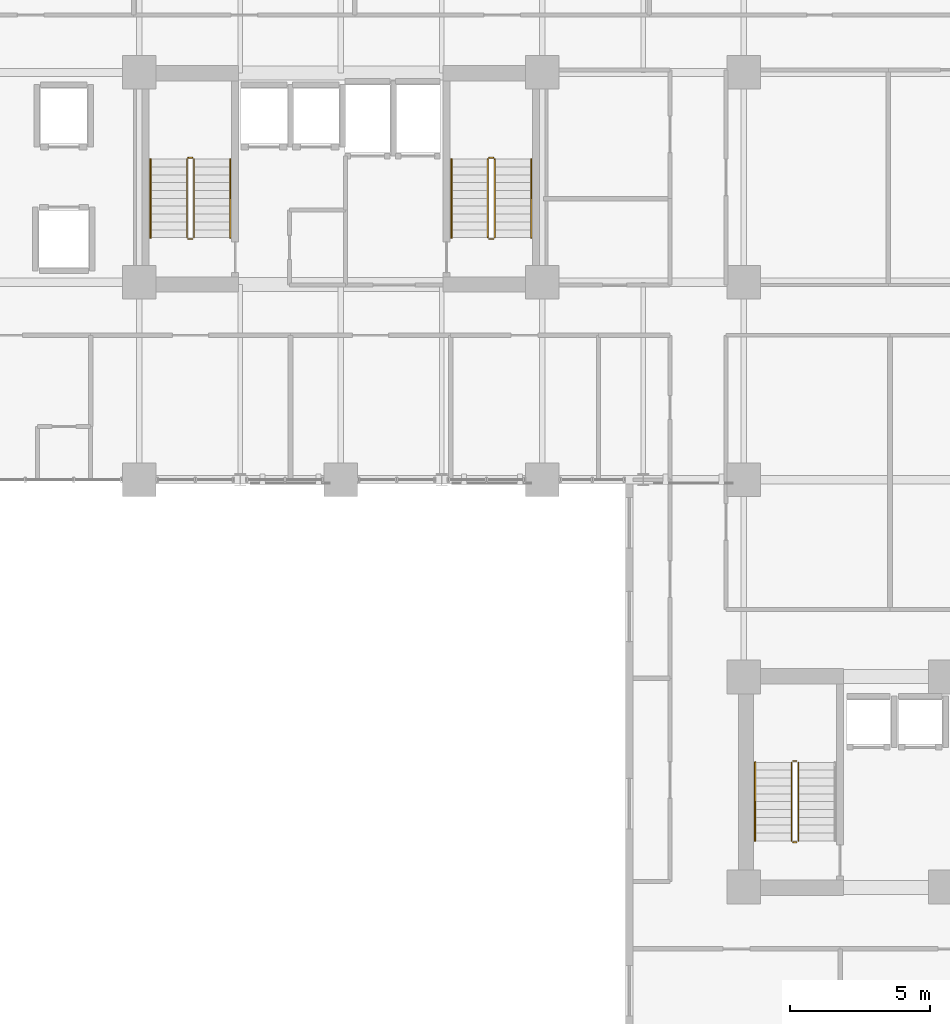
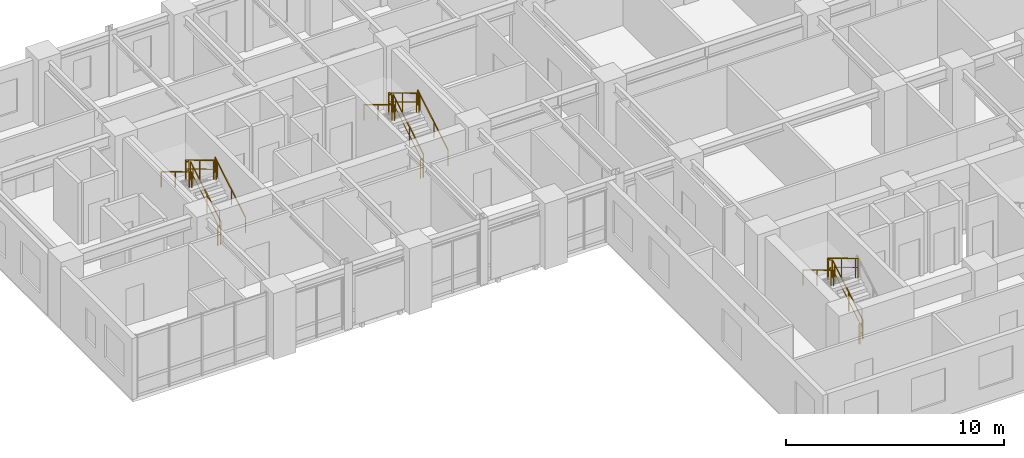
# One storey, part 14 of 16: 17 railings.
"""IFC4 building model written with IfcOpenShell, lengths in metres."""

from ifc_helpers import new_model, si_unit, direction, frame, origin, origin_2d, place, context, subcontext, project, spatial, rectangle, extrude, material, type_object, element, save


model = new_model("IFC4")

# Units and contexts
model_context = context("Model", 3, precision=1e-05, world=origin(), true_north=direction((0.0, 1.0)))
body_context = subcontext(model_context, "Body", "Model", "MODEL_VIEW")
ifc_project = project(units=[si_unit("LENGTHUNIT", "METRE"), si_unit("AREAUNIT", "SQUARE_METRE"), si_unit("VOLUMEUNIT", "CUBIC_METRE"), si_unit("PLANEANGLEUNIT", "RADIAN"), si_unit("MASSUNIT", "GRAM", prefix="KILO")], contexts=[model_context])

# Site, building, storey
site_placement = place(None, origin())
site = spatial("IfcSite", under=ifc_project, at=site_placement, CompositionType="ELEMENT")
building_placement = place(site_placement, origin())
building = spatial("IfcBuilding", under=site, at=building_placement, Name="Kaliganga Portal Commons", CompositionType="ELEMENT")
storey_placement = place(building_placement, frame((0.0, 0.0, 97.10009765625)))
storey = spatial("IfcBuildingStorey", under=building, at=storey_placement, Name="L24", CompositionType="ELEMENT", Elevation=97.10009765625)

# Railings
ifc_material_1 = material(Name="Galvanized Painted Steel Balustrade", Category="steel")
railing_type_1 = type_object("IfcRailingType", Name="RLG-STAIR-GRD", PredefinedType="GUARDRAIL", material=ifc_material_1)
railing_1_placement = place(storey_placement, frame((16.35009765625, 30.25, 0.16796875)))
element("IfcRailing", 1, at=railing_1_placement, inside=storey, type_object=railing_type_1, Name="L24 ST-A1 stair guard 1", PredefinedType="GUARDRAIL", context=body_context, shape_type="SweptSolid", body=[
    extrude(rectangle(XDim=0.048095703125, YDim=0.048095703125, at=origin_2d()), frame((0.0, 0.0, 1.072021484375), z_axis=(0.0, 0.857242210791, 0.514913383045), x_axis=(-1.0, 0.0, 0.0)), (0.0, 0.0, 1.0), 3.266357421875),
    extrude(rectangle(XDim=0.028076171875, YDim=0.028076171875, at=origin_2d()), frame((0.0, 0.0, 0.572021484375), z_axis=(0.0, 0.857242210791, 0.514913383045), x_axis=(-1.0, 0.0, 0.0)), (0.0, 0.0, 1.0), 3.266357421875),
    extrude(rectangle(XDim=0.0419921875, YDim=0.0419921875, at=origin_2d()), origin(), (0.0, 0.0, 1.0), 1.052001953125),
    extrude(rectangle(XDim=0.0419921875, YDim=0.0419921875, at=origin_2d()), frame((0.0, 1.285888671875, 0.7724609375)), (0.0, 0.0, 1.0), 1.052001953125),
    extrude(rectangle(XDim=0.0419921875, YDim=0.0419921875, at=origin_2d()), frame((0.0, 2.57177734375, 1.544677734375)), (0.0, 0.0, 1.0), 1.052001953125),
    extrude(rectangle(XDim=0.0419921875, YDim=0.0419921875, at=origin_2d()), frame((0.0, 2.800048828125, 1.681884765625)), (0.0, 0.0, 1.0), 1.052001953125),
])
railing_2_placement = place(storey_placement, frame((16.300048828125, 33.10009765625, 1.849853515625)))
element("IfcRailing", 2, at=railing_2_placement, inside=storey, type_object=railing_type_1, Name="L24 ST-A1 stair guard 2", PredefinedType="GUARDRAIL", context=body_context, shape_type="SweptSolid", body=[
    extrude(rectangle(XDim=0.048095703125, YDim=0.048095703125, at=origin_2d()), frame((0.0, 0.0, 1.076171875), z_axis=(-1.0, 0.0, 0.0), x_axis=(0.0, -1.0, 0.0)), (0.0, 0.0, 1.0), 0.150146484375),
    extrude(rectangle(XDim=0.028076171875, YDim=0.028076171875, at=origin_2d()), frame((0.0, 0.0, 0.572021484375), z_axis=(-1.0, 0.0, 0.0), x_axis=(0.0, -1.0, 0.0)), (0.0, 0.0, 1.0), 0.150146484375),
    extrude(rectangle(XDim=0.0419921875, YDim=0.0419921875, at=origin_2d()), origin(), (0.0, 0.0, 1.0), 1.052001953125),
    extrude(rectangle(XDim=0.0419921875, YDim=0.0419921875, at=origin_2d()), frame((-0.150146484375, 0.0, 0.0)), (0.0, 0.0, 1.0), 1.052001953125),
])
railing_3_placement = place(storey_placement, frame((16.10009765625, 33.050048828125, 2.01806640625)))
element("IfcRailing", 3, at=railing_3_placement, inside=storey, type_object=railing_type_1, Name="L24 ST-A1 stair guard 3", PredefinedType="GUARDRAIL", context=body_context, shape_type="SweptSolid", body=[
    extrude(rectangle(XDim=0.048095703125, YDim=0.048095703125, at=origin_2d()), frame((0.0, 0.0, 1.072021484375), z_axis=(0.0, -0.857242210791, 0.514913383045), x_axis=(1.0, 0.0, 0.0)), (0.0, 0.0, 1.0), 3.266357421875),
    extrude(rectangle(XDim=0.028076171875, YDim=0.028076171875, at=origin_2d()), frame((0.0, 0.0, 0.572021484375), z_axis=(0.0, -0.857242210791, 0.514913383045), x_axis=(1.0, 0.0, 0.0)), (0.0, 0.0, 1.0), 3.266357421875),
    extrude(rectangle(XDim=0.0419921875, YDim=0.0419921875, at=origin_2d()), origin(), (0.0, 0.0, 1.0), 1.052001953125),
    extrude(rectangle(XDim=0.0419921875, YDim=0.0419921875, at=origin_2d()), frame((0.0, -1.285888671875, 0.7724609375)), (0.0, 0.0, 1.0), 1.052001953125),
    extrude(rectangle(XDim=0.0419921875, YDim=0.0419921875, at=origin_2d()), frame((0.0, -2.57177734375, 1.544677734375)), (0.0, 0.0, 1.0), 1.052001953125),
    extrude(rectangle(XDim=0.0419921875, YDim=0.0419921875, at=origin_2d()), frame((0.0, -2.800048828125, 1.681884765625)), (0.0, 0.0, 1.0), 1.052001953125),
])
railing_4_placement = place(storey_placement, frame((16.300048828125, 30.199951171875, 0.0)))
element("IfcRailing", 4, at=railing_4_placement, inside=storey, type_object=railing_type_1, Name="L24 ST-A1 stair guard 4", PredefinedType="GUARDRAIL", context=body_context, shape_type="SweptSolid", body=[
    extrude(rectangle(XDim=0.048095703125, YDim=0.048095703125, at=origin_2d()), frame((0.0, 0.0, 1.076171875), z_axis=(-1.0, 0.0, 0.0), x_axis=(0.0, -1.0, 0.0)), (0.0, 0.0, 1.0), 0.150146484375),
    extrude(rectangle(XDim=0.028076171875, YDim=0.028076171875, at=origin_2d()), frame((0.0, 0.0, 0.572021484375), z_axis=(-1.0, 0.0, 0.0), x_axis=(0.0, -1.0, 0.0)), (0.0, 0.0, 1.0), 0.150146484375),
    extrude(rectangle(XDim=0.0419921875, YDim=0.0419921875, at=origin_2d()), origin(), (0.0, 0.0, 1.0), 1.052001953125),
    extrude(rectangle(XDim=0.0419921875, YDim=0.0419921875, at=origin_2d()), frame((-0.150146484375, 0.0, 0.0)), (0.0, 0.0, 1.0), 1.052001953125),
])
railing_5_placement = place(storey_placement, frame((27.10009765625, 30.25, 0.16796875)))
element("IfcRailing", 5, at=railing_5_placement, inside=storey, type_object=railing_type_1, Name="L24 ST-A2 stair guard 1", PredefinedType="GUARDRAIL", context=body_context, shape_type="SweptSolid", body=[
    extrude(rectangle(XDim=0.048095703125, YDim=0.048095703125, at=origin_2d()), frame((0.0, 0.0, 1.072021484375), z_axis=(0.0, 0.857242210791, 0.514913383045), x_axis=(-1.0, 0.0, 0.0)), (0.0, 0.0, 1.0), 3.266357421875),
    extrude(rectangle(XDim=0.028076171875, YDim=0.028076171875, at=origin_2d()), frame((0.0, 0.0, 0.572021484375), z_axis=(0.0, 0.857242210791, 0.514913383045), x_axis=(-1.0, 0.0, 0.0)), (0.0, 0.0, 1.0), 3.266357421875),
    extrude(rectangle(XDim=0.0419921875, YDim=0.0419921875, at=origin_2d()), origin(), (0.0, 0.0, 1.0), 1.052001953125),
    extrude(rectangle(XDim=0.0419921875, YDim=0.0419921875, at=origin_2d()), frame((0.0, 1.285888671875, 0.7724609375)), (0.0, 0.0, 1.0), 1.052001953125),
    extrude(rectangle(XDim=0.0419921875, YDim=0.0419921875, at=origin_2d()), frame((0.0, 2.57177734375, 1.544677734375)), (0.0, 0.0, 1.0), 1.052001953125),
    extrude(rectangle(XDim=0.0419921875, YDim=0.0419921875, at=origin_2d()), frame((0.0, 2.800048828125, 1.681884765625)), (0.0, 0.0, 1.0), 1.052001953125),
])
railing_6_placement = place(storey_placement, frame((27.050048828125, 33.10009765625, 1.849853515625)))
element("IfcRailing", 6, at=railing_6_placement, inside=storey, type_object=railing_type_1, Name="L24 ST-A2 stair guard 2", PredefinedType="GUARDRAIL", context=body_context, shape_type="SweptSolid", body=[
    extrude(rectangle(XDim=0.048095703125, YDim=0.048095703125, at=origin_2d()), frame((0.0, 0.0, 1.076171875), z_axis=(-1.0, 0.0, 0.0), x_axis=(0.0, -1.0, 0.0)), (0.0, 0.0, 1.0), 0.150146484375),
    extrude(rectangle(XDim=0.028076171875, YDim=0.028076171875, at=origin_2d()), frame((0.0, 0.0, 0.572021484375), z_axis=(-1.0, 0.0, 0.0), x_axis=(0.0, -1.0, 0.0)), (0.0, 0.0, 1.0), 0.150146484375),
    extrude(rectangle(XDim=0.0419921875, YDim=0.0419921875, at=origin_2d()), origin(), (0.0, 0.0, 1.0), 1.052001953125),
    extrude(rectangle(XDim=0.0419921875, YDim=0.0419921875, at=origin_2d()), frame((-0.150146484375, 0.0, 0.0)), (0.0, 0.0, 1.0), 1.052001953125),
])
railing_7_placement = place(storey_placement, frame((26.85009765625, 33.050048828125, 2.01806640625)))
element("IfcRailing", 7, at=railing_7_placement, inside=storey, type_object=railing_type_1, Name="L24 ST-A2 stair guard 3", PredefinedType="GUARDRAIL", context=body_context, shape_type="SweptSolid", body=[
    extrude(rectangle(XDim=0.048095703125, YDim=0.048095703125, at=origin_2d()), frame((0.0, 0.0, 1.072021484375), z_axis=(0.0, -0.857242210791, 0.514913383045), x_axis=(1.0, 0.0, 0.0)), (0.0, 0.0, 1.0), 3.266357421875),
    extrude(rectangle(XDim=0.028076171875, YDim=0.028076171875, at=origin_2d()), frame((0.0, 0.0, 0.572021484375), z_axis=(0.0, -0.857242210791, 0.514913383045), x_axis=(1.0, 0.0, 0.0)), (0.0, 0.0, 1.0), 3.266357421875),
    extrude(rectangle(XDim=0.0419921875, YDim=0.0419921875, at=origin_2d()), origin(), (0.0, 0.0, 1.0), 1.052001953125),
    extrude(rectangle(XDim=0.0419921875, YDim=0.0419921875, at=origin_2d()), frame((0.0, -1.285888671875, 0.7724609375)), (0.0, 0.0, 1.0), 1.052001953125),
    extrude(rectangle(XDim=0.0419921875, YDim=0.0419921875, at=origin_2d()), frame((0.0, -2.57177734375, 1.544677734375)), (0.0, 0.0, 1.0), 1.052001953125),
    extrude(rectangle(XDim=0.0419921875, YDim=0.0419921875, at=origin_2d()), frame((0.0, -2.800048828125, 1.681884765625)), (0.0, 0.0, 1.0), 1.052001953125),
])
railing_8_placement = place(storey_placement, frame((27.050048828125, 30.199951171875, 0.0)))
element("IfcRailing", 8, at=railing_8_placement, inside=storey, type_object=railing_type_1, Name="L24 ST-A2 stair guard 4", PredefinedType="GUARDRAIL", context=body_context, shape_type="SweptSolid", body=[
    extrude(rectangle(XDim=0.048095703125, YDim=0.048095703125, at=origin_2d()), frame((0.0, 0.0, 1.076171875), z_axis=(-1.0, 0.0, 0.0), x_axis=(0.0, -1.0, 0.0)), (0.0, 0.0, 1.0), 0.150146484375),
    extrude(rectangle(XDim=0.028076171875, YDim=0.028076171875, at=origin_2d()), frame((0.0, 0.0, 0.572021484375), z_axis=(-1.0, 0.0, 0.0), x_axis=(0.0, -1.0, 0.0)), (0.0, 0.0, 1.0), 0.150146484375),
    extrude(rectangle(XDim=0.0419921875, YDim=0.0419921875, at=origin_2d()), origin(), (0.0, 0.0, 1.0), 1.052001953125),
    extrude(rectangle(XDim=0.0419921875, YDim=0.0419921875, at=origin_2d()), frame((-0.150146484375, 0.0, 0.0)), (0.0, 0.0, 1.0), 1.052001953125),
])
railing_9_placement = place(storey_placement, frame((37.949951171875, 8.699951171875, 0.16796875)))
element("IfcRailing", 9, at=railing_9_placement, inside=storey, type_object=railing_type_1, Name="L24 ST-B1 stair guard 1", PredefinedType="GUARDRAIL", context=body_context, shape_type="SweptSolid", body=[
    extrude(rectangle(XDim=0.048095703125, YDim=0.048095703125, at=origin_2d()), frame((0.0, 0.0, 1.072021484375), z_axis=(0.0, 0.857242210791, 0.514913383045), x_axis=(-1.0, 0.0, 0.0)), (0.0, 0.0, 1.0), 3.266357421875),
    extrude(rectangle(XDim=0.028076171875, YDim=0.028076171875, at=origin_2d()), frame((0.0, 0.0, 0.572021484375), z_axis=(0.0, 0.857242210791, 0.514913383045), x_axis=(-1.0, 0.0, 0.0)), (0.0, 0.0, 1.0), 3.266357421875),
    extrude(rectangle(XDim=0.0419921875, YDim=0.0419921875, at=origin_2d()), origin(), (0.0, 0.0, 1.0), 1.052001953125),
    extrude(rectangle(XDim=0.0419921875, YDim=0.0419921875, at=origin_2d()), frame((0.0, 1.285888671875, 0.7724609375)), (0.0, 0.0, 1.0), 1.052001953125),
    extrude(rectangle(XDim=0.0419921875, YDim=0.0419921875, at=origin_2d()), frame((0.0, 2.57177734375, 1.544677734375)), (0.0, 0.0, 1.0), 1.052001953125),
    extrude(rectangle(XDim=0.0419921875, YDim=0.0419921875, at=origin_2d()), frame((0.0, 2.800048828125, 1.681884765625)), (0.0, 0.0, 1.0), 1.052001953125),
])
railing_10_placement = place(storey_placement, frame((37.89990234375, 11.550048828125, 1.849853515625)))
element("IfcRailing", 10, at=railing_10_placement, inside=storey, type_object=railing_type_1, Name="L24 ST-B1 stair guard 2", PredefinedType="GUARDRAIL", context=body_context, shape_type="SweptSolid", body=[
    extrude(rectangle(XDim=0.048095703125, YDim=0.048095703125, at=origin_2d()), frame((0.0, 0.0, 1.076171875), z_axis=(-1.0, 0.0, 0.0), x_axis=(0.0, -1.0, 0.0)), (0.0, 0.0, 1.0), 0.14990234375),
    extrude(rectangle(XDim=0.028076171875, YDim=0.028076171875, at=origin_2d()), frame((0.0, 0.0, 0.572021484375), z_axis=(-1.0, 0.0, 0.0), x_axis=(0.0, -1.0, 0.0)), (0.0, 0.0, 1.0), 0.14990234375),
    extrude(rectangle(XDim=0.0419921875, YDim=0.0419921875, at=origin_2d()), frame((-0.14990234375, 0.0, 0.0)), (0.0, 0.0, 1.0), 1.052001953125),
])
railing_11_placement = place(storey_placement, frame((37.699951171875, 11.5, 2.01806640625)))
element("IfcRailing", 11, at=railing_11_placement, inside=storey, type_object=railing_type_1, Name="L24 ST-B1 stair guard 3", PredefinedType="GUARDRAIL", context=body_context, shape_type="SweptSolid", body=[
    extrude(rectangle(XDim=0.048095703125, YDim=0.048095703125, at=origin_2d()), frame((0.0, 0.0, 1.072021484375), z_axis=(0.0, -0.857242210791, 0.514913383045), x_axis=(1.0, 0.0, 0.0)), (0.0, 0.0, 1.0), 3.266357421875),
    extrude(rectangle(XDim=0.028076171875, YDim=0.028076171875, at=origin_2d()), frame((0.0, 0.0, 0.572021484375), z_axis=(0.0, -0.857242210791, 0.514913383045), x_axis=(1.0, 0.0, 0.0)), (0.0, 0.0, 1.0), 3.266357421875),
    extrude(rectangle(XDim=0.0419921875, YDim=0.0419921875, at=origin_2d()), origin(), (0.0, 0.0, 1.0), 1.052001953125),
    extrude(rectangle(XDim=0.0419921875, YDim=0.0419921875, at=origin_2d()), frame((0.0, -1.285888671875, 0.7724609375)), (0.0, 0.0, 1.0), 1.052001953125),
    extrude(rectangle(XDim=0.0419921875, YDim=0.0419921875, at=origin_2d()), frame((0.0, -2.57177734375, 1.544677734375)), (0.0, 0.0, 1.0), 1.052001953125),
    extrude(rectangle(XDim=0.0419921875, YDim=0.0419921875, at=origin_2d()), frame((0.0, -2.800048828125, 1.681884765625)), (0.0, 0.0, 1.0), 1.052001953125),
])
railing_12_placement = place(storey_placement, frame((37.89990234375, 8.64990234375, 0.0)))
element("IfcRailing", 12, at=railing_12_placement, inside=storey, type_object=railing_type_1, Name="L24 ST-B1 stair guard 4", PredefinedType="GUARDRAIL", context=body_context, shape_type="SweptSolid", body=[
    extrude(rectangle(XDim=0.048095703125, YDim=0.048095703125, at=origin_2d()), frame((0.0, 0.0, 1.076171875), z_axis=(-1.0, 0.0, 0.0), x_axis=(0.0, -1.0, 0.0)), (0.0, 0.0, 1.0), 0.14990234375),
    extrude(rectangle(XDim=0.028076171875, YDim=0.028076171875, at=origin_2d()), frame((0.0, 0.0, 0.572021484375), z_axis=(-1.0, 0.0, 0.0), x_axis=(0.0, -1.0, 0.0)), (0.0, 0.0, 1.0), 0.14990234375),
    extrude(rectangle(XDim=0.0419921875, YDim=0.0419921875, at=origin_2d()), frame((-0.14990234375, 0.0, 0.0)), (0.0, 0.0, 1.0), 1.052001953125),
])
ifc_material_2 = material(Name="Brushed Stainless Steel 316", Category="steel")
railing_type_2 = type_object("IfcRailingType", Name="RLG-STAIR-HR", PredefinedType="HANDRAIL", material=ifc_material_2)
railing_13_placement = place(storey_placement, frame((17.64990234375, 30.25, 0.16796875)))
element("IfcRailing", 13, at=railing_13_placement, inside=storey, type_object=railing_type_2, Name="L24 ST-A1 stair handrail 1", PredefinedType="HANDRAIL", context=body_context, shape_type="SweptSolid", body=[
    extrude(rectangle(XDim=0.048095703125, YDim=0.048095703125, at=origin_2d()), frame((0.0, 0.0, 0.871826171875), z_axis=(0.0, 0.857242210791, 0.514913383045), x_axis=(-1.0, 0.0, 0.0)), (0.0, 0.0, 1.0), 3.266357421875),
    extrude(rectangle(XDim=0.0419921875, YDim=0.0419921875, at=origin_2d()), origin(), (0.0, 0.0, 1.0), 0.851806640625),
    extrude(rectangle(XDim=0.0419921875, YDim=0.0419921875, at=origin_2d()), frame((0.0, 1.285888671875, 0.7724609375)), (0.0, 0.0, 1.0), 0.851806640625),
    extrude(rectangle(XDim=0.0419921875, YDim=0.0419921875, at=origin_2d()), frame((0.0, 2.57177734375, 1.544677734375)), (0.0, 0.0, 1.0), 0.851806640625),
    extrude(rectangle(XDim=0.0419921875, YDim=0.0419921875, at=origin_2d()), frame((0.0, 2.800048828125, 1.681884765625)), (0.0, 0.0, 1.0), 0.851806640625),
])
railing_14_placement = place(storey_placement, frame((14.800048828125, 33.050048828125, 2.01806640625)))
element("IfcRailing", 14, at=railing_14_placement, inside=storey, type_object=railing_type_2, Name="L24 ST-A1 stair handrail 2", PredefinedType="HANDRAIL", context=body_context, shape_type="SweptSolid", body=[
    extrude(rectangle(XDim=0.048095703125, YDim=0.048095703125, at=origin_2d()), frame((0.0, 0.0, 0.871826171875), z_axis=(0.0, -0.857242210791, 0.514913383045), x_axis=(1.0, 0.0, 0.0)), (0.0, 0.0, 1.0), 3.266357421875),
    extrude(rectangle(XDim=0.0419921875, YDim=0.0419921875, at=origin_2d()), origin(), (0.0, 0.0, 1.0), 0.851806640625),
    extrude(rectangle(XDim=0.0419921875, YDim=0.0419921875, at=origin_2d()), frame((0.0, -1.285888671875, 0.7724609375)), (0.0, 0.0, 1.0), 0.851806640625),
    extrude(rectangle(XDim=0.0419921875, YDim=0.0419921875, at=origin_2d()), frame((0.0, -2.57177734375, 1.544677734375)), (0.0, 0.0, 1.0), 0.851806640625),
    extrude(rectangle(XDim=0.0419921875, YDim=0.0419921875, at=origin_2d()), frame((0.0, -2.800048828125, 1.681884765625)), (0.0, 0.0, 1.0), 0.851806640625),
])
railing_15_placement = place(storey_placement, frame((28.39990234375, 30.25, 0.16796875)))
element("IfcRailing", 15, at=railing_15_placement, inside=storey, type_object=railing_type_2, Name="L24 ST-A2 stair handrail 1", PredefinedType="HANDRAIL", context=body_context, shape_type="SweptSolid", body=[
    extrude(rectangle(XDim=0.048095703125, YDim=0.048095703125, at=origin_2d()), frame((0.0, 0.0, 0.871826171875), z_axis=(0.0, 0.857242210791, 0.514913383045), x_axis=(-1.0, 0.0, 0.0)), (0.0, 0.0, 1.0), 3.266357421875),
    extrude(rectangle(XDim=0.0419921875, YDim=0.0419921875, at=origin_2d()), origin(), (0.0, 0.0, 1.0), 0.851806640625),
    extrude(rectangle(XDim=0.0419921875, YDim=0.0419921875, at=origin_2d()), frame((0.0, 1.285888671875, 0.7724609375)), (0.0, 0.0, 1.0), 0.851806640625),
    extrude(rectangle(XDim=0.0419921875, YDim=0.0419921875, at=origin_2d()), frame((0.0, 2.57177734375, 1.544677734375)), (0.0, 0.0, 1.0), 0.851806640625),
    extrude(rectangle(XDim=0.0419921875, YDim=0.0419921875, at=origin_2d()), frame((0.0, 2.800048828125, 1.681884765625)), (0.0, 0.0, 1.0), 0.851806640625),
])
for number, where, name in (
    (16, (25.550048828125, 33.050048828125, 2.01806640625), "L24 ST-A2 stair handrail 2"),
    (17, (36.39990234375, 11.5, 2.01806640625), "L24 ST-B1 stair handrail 2"),
):
    element("IfcRailing", number, at=place(storey_placement, frame(where)), inside=storey, type_object=railing_type_2, Name=name, PredefinedType="HANDRAIL", context=body_context, shape_type="SweptSolid", body=[
        extrude(rectangle(XDim=0.048095703125, YDim=0.048095703125, at=origin_2d()), frame((0.0, 0.0, 0.871826171875), z_axis=(0.0, -0.857242210791, 0.514913383045), x_axis=(1.0, 0.0, 0.0)), (0.0, 0.0, 1.0), 3.266357421875),
        extrude(rectangle(XDim=0.0419921875, YDim=0.0419921875, at=origin_2d()), origin(), (0.0, 0.0, 1.0), 0.851806640625),
        extrude(rectangle(XDim=0.0419921875, YDim=0.0419921875, at=origin_2d()), frame((0.0, -1.285888671875, 0.7724609375)), (0.0, 0.0, 1.0), 0.851806640625),
        extrude(rectangle(XDim=0.0419921875, YDim=0.0419921875, at=origin_2d()), frame((0.0, -2.57177734375, 1.544677734375)), (0.0, 0.0, 1.0), 0.851806640625),
        extrude(rectangle(XDim=0.0419921875, YDim=0.0419921875, at=origin_2d()), frame((0.0, -2.800048828125, 1.681884765625)), (0.0, 0.0, 1.0), 0.851806640625),
    ])

save(model, "model.ifc")
